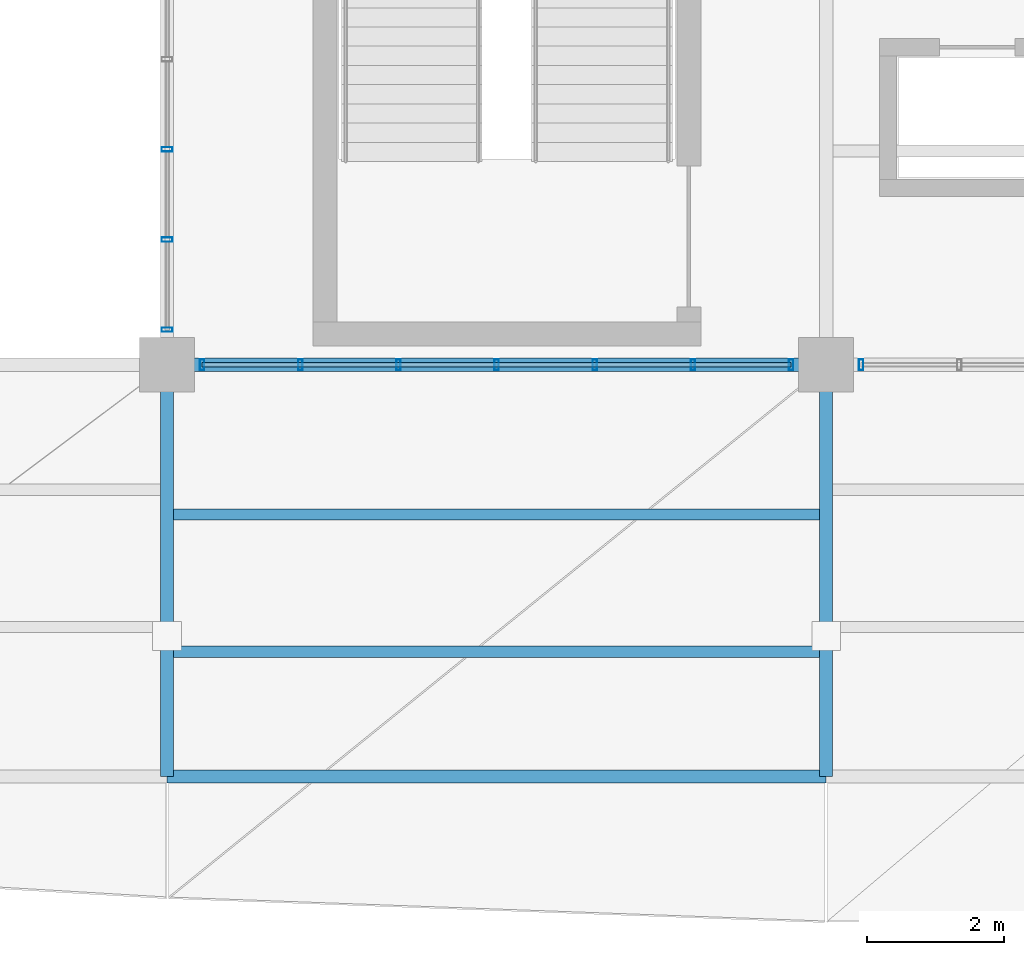
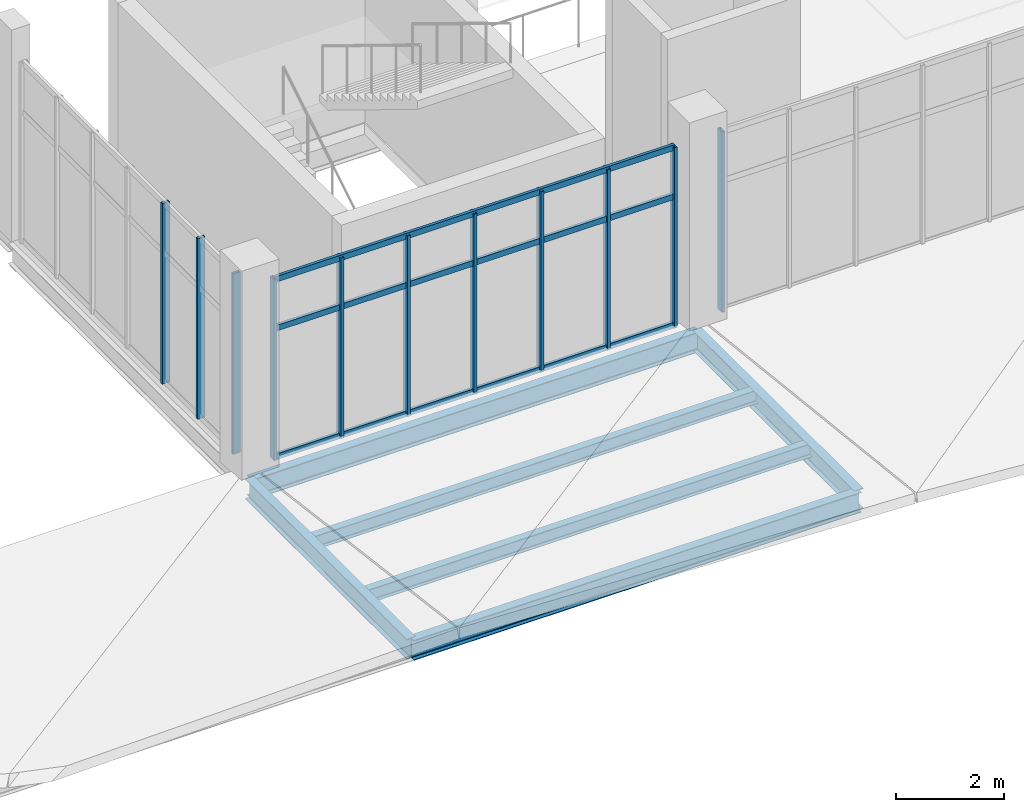
# One storey, part 27 of 157: 14 members, 6 beams, 3 elements without a shape of their own.
"""IFC4 building model written with IfcOpenShell, lengths in metres."""

from ifc_helpers import new_model, si_unit, direction, frame, origin, origin_2d, place, context, subcontext, project, spatial, hollow_rectangle, i_section, extrude, material, layer, layer_set, material_profile, profile_set, type_object, element, aggregate, save


model = new_model("IFC4")

# Units and contexts
model_context = context("Model", 3, precision=1e-05, world=origin(), true_north=direction((0.0, 1.0)))
body_context = subcontext(model_context, "Body", "Model", "MODEL_VIEW")
ifc_project = project(units=[si_unit("LENGTHUNIT", "METRE"), si_unit("AREAUNIT", "SQUARE_METRE"), si_unit("VOLUMEUNIT", "CUBIC_METRE"), si_unit("PLANEANGLEUNIT", "RADIAN"), si_unit("MASSUNIT", "GRAM", prefix="KILO")], contexts=[model_context])

# Site, building, storey
site_placement = place(None, origin())
site = spatial("IfcSite", under=ifc_project, at=site_placement, CompositionType="ELEMENT")
building_placement = place(site_placement, origin())
building = spatial("IfcBuilding", under=site, at=building_placement, Name="Chalmorin Arch Market", CompositionType="ELEMENT")
storey_placement = place(building_placement, frame((0.0, 0.0, 4.800048828125)))
storey = spatial("IfcBuildingStorey", under=building, at=storey_placement, Name="L01", CompositionType="ELEMENT", Elevation=4.800048828125)

# Curtain wall, members
ifc_material_1 = material(Name="Aluminium 6063-T6", Category="aluminium")
ifc_layer_1 = layer(ifc_material_1, 0.159912109375)
ifc_layer_set_1 = layer_set([ifc_layer_1], Name="Aluminium 6063-T6")
curtain_wall_type_1 = type_object("IfcCurtainWallType", Name="MarketClerestoryCurtainWall-CW1-8580x4100", PredefinedType="NOTDEFINED", material=ifc_layer_set_1)
curtain_wall_1_placement = place(storey_placement, origin())
curtain_wall_1 = element("IfcCurtainWall", 1, at=curtain_wall_1_placement, inside=storey, type_object=curtain_wall_type_1, Name="CW-01-001", PredefinedType="NOTDEFINED")
ifc_material_profile_1 = material_profile(ifc_material_1, hollow_rectangle(XDim=0.06494140625, YDim=0.159912109375, WallThickness=0.00390625, at=origin_2d()), Name="ALU65X160X4")
ifc_profile_set_1 = profile_set([ifc_material_profile_1], Name="Aluminium 6063-T6")
member_type_1 = type_object("IfcMemberType", Name="CurtainWallMullion-65x160", PredefinedType="MULLION", material=ifc_profile_set_1)
member_1_placement = place(storey_placement, frame((48.510009765625, 6.0, 0.0), z_axis=(0.0, 0.0, 1.0), x_axis=(1.0, 0.0, 0.0)))
member_1 = element("IfcMember", 2, at=member_1_placement, type_object=member_type_1, Name="ML-001-01", PredefinedType="MULLION", context=body_context, shape_type="SweptSolid", body=[
    extrude(hollow_rectangle(XDim=0.06494140625, YDim=0.159912109375, WallThickness=0.00390625, at=origin_2d()), origin(), (0.0, 0.0, 1.0), 4.095947265625),
])
member_2_placement = place(storey_placement, frame((49.93994140625, 6.0, 0.0), z_axis=(0.0, 0.0, 1.0), x_axis=(1.0, 0.0, 0.0)))
member_2 = element("IfcMember", 3, at=member_2_placement, type_object=member_type_1, Name="ML-001-02", PredefinedType="MULLION", context=body_context, shape_type="SweptSolid", body=[
    extrude(hollow_rectangle(XDim=0.06494140625, YDim=0.159912109375, WallThickness=0.00390625, at=origin_2d()), origin(), (0.0, 0.0, 1.0), 4.095947265625),
])
member_3_placement = place(storey_placement, frame((51.3701171875, 6.0, 0.0), z_axis=(0.0, 0.0, 1.0), x_axis=(1.0, 0.0, 0.0)))
member_3 = element("IfcMember", 4, at=member_3_placement, type_object=member_type_1, Name="ML-001-03", PredefinedType="MULLION", context=body_context, shape_type="SweptSolid", body=[
    extrude(hollow_rectangle(XDim=0.06494140625, YDim=0.159912109375, WallThickness=0.00390625, at=origin_2d()), origin(), (0.0, 0.0, 1.0), 4.095947265625),
])
member_4_placement = place(storey_placement, frame((52.800048828125, 6.0, 0.0), z_axis=(0.0, 0.0, 1.0), x_axis=(1.0, 0.0, 0.0)))
member_4 = element("IfcMember", 5, at=member_4_placement, type_object=member_type_1, Name="ML-001-04", PredefinedType="MULLION", context=body_context, shape_type="SweptSolid", body=[
    extrude(hollow_rectangle(XDim=0.06494140625, YDim=0.159912109375, WallThickness=0.00390625, at=origin_2d()), origin(), (0.0, 0.0, 1.0), 4.095947265625),
])
member_5_placement = place(storey_placement, frame((54.22998046875, 6.0, 0.0), z_axis=(0.0, 0.0, 1.0), x_axis=(1.0, 0.0, 0.0)))
member_5 = element("IfcMember", 6, at=member_5_placement, type_object=member_type_1, Name="ML-001-05", PredefinedType="MULLION", context=body_context, shape_type="SweptSolid", body=[
    extrude(hollow_rectangle(XDim=0.06494140625, YDim=0.159912109375, WallThickness=0.00390625, at=origin_2d()), origin(), (0.0, 0.0, 1.0), 4.095947265625),
])
member_6_placement = place(storey_placement, frame((55.659912109375, 6.0, 0.0), z_axis=(0.0, 0.0, 1.0), x_axis=(1.0, 0.0, 0.0)))
member_6 = element("IfcMember", 7, at=member_6_placement, type_object=member_type_1, Name="ML-001-06", PredefinedType="MULLION", context=body_context, shape_type="SweptSolid", body=[
    extrude(hollow_rectangle(XDim=0.06494140625, YDim=0.159912109375, WallThickness=0.00390625, at=origin_2d()), origin(), (0.0, 0.0, 1.0), 4.095947265625),
])
member_7_placement = place(storey_placement, frame((57.090087890625, 6.0, 0.0), z_axis=(0.0, 0.0, 1.0), x_axis=(1.0, 0.0, 0.0)))
member_7 = element("IfcMember", 8, at=member_7_placement, type_object=member_type_1, Name="ML-001-07", PredefinedType="MULLION", context=body_context, shape_type="SweptSolid", body=[
    extrude(hollow_rectangle(XDim=0.06494140625, YDim=0.159912109375, WallThickness=0.00390625, at=origin_2d()), origin(), (0.0, 0.0, 1.0), 4.095947265625),
])

# Curtain wall, member
curtain_wall_2_placement = place(storey_placement, origin())
curtain_wall_2 = element("IfcCurtainWall", 9, at=curtain_wall_2_placement, inside=storey, type_object=curtain_wall_type_1, Name="CW-01-004", PredefinedType="NOTDEFINED")
member_8_placement = place(storey_placement, frame((58.110107421875, 6.0, 0.0), z_axis=(0.0, 0.0, 1.0), x_axis=(1.0, 0.0, 0.0)))
member_8 = element("IfcMember", 10, at=member_8_placement, type_object=member_type_1, Name="ML-004-01", PredefinedType="MULLION", context=body_context, shape_type="SweptSolid", body=[
    extrude(hollow_rectangle(XDim=0.06494140625, YDim=0.159912109375, WallThickness=0.00390625, at=origin_2d()), origin(), (0.0, 0.0, 1.0), 4.095947265625),
])
aggregate(curtain_wall_2, [member_8])

# Curtain wall, members
ifc_layer_2 = layer(ifc_material_1, 0.159912109375)
ifc_layer_set_2 = layer_set([ifc_layer_2], Name="Aluminium 6063-T6")
curtain_wall_type_2 = type_object("IfcCurtainWallType", Name="GableTympanumCurtainWall-CW4-7880x4100", PredefinedType="NOTDEFINED", material=ifc_layer_set_2)
curtain_wall_3_placement = place(storey_placement, origin())
curtain_wall_3 = element("IfcCurtainWall", 11, at=curtain_wall_3_placement, inside=storey, type_object=curtain_wall_type_2, Name="CW-04-026", PredefinedType="NOTDEFINED")
member_9_placement = place(storey_placement, frame((48.0, 6.510009765625, 0.0), z_axis=(0.0, 0.0, 1.0), x_axis=(0.0, 1.0, 0.0)))
member_9 = element("IfcMember", 12, at=member_9_placement, type_object=member_type_1, Name="ML-026-01", PredefinedType="MULLION", context=body_context, shape_type="SweptSolid", body=[
    extrude(hollow_rectangle(XDim=0.06494140625, YDim=0.159912109375, WallThickness=0.00390625, at=origin_2d()), origin(), (0.0, 0.0, 1.0), 4.095947265625),
])
member_10_placement = place(storey_placement, frame((48.0, 7.8232421875, 0.0), z_axis=(0.0, 0.0, 1.0), x_axis=(0.0, 1.0, 0.0)))
member_10 = element("IfcMember", 13, at=member_10_placement, type_object=member_type_1, Name="ML-026-02", PredefinedType="MULLION", context=body_context, shape_type="SweptSolid", body=[
    extrude(hollow_rectangle(XDim=0.06494140625, YDim=0.159912109375, WallThickness=0.00390625, at=origin_2d()), origin(), (0.0, 0.0, 1.0), 4.095947265625),
])
member_11_placement = place(storey_placement, frame((48.0, 9.13671875, 0.0), z_axis=(0.0, 0.0, 1.0), x_axis=(0.0, 1.0, 0.0)))
member_11 = element("IfcMember", 14, at=member_11_placement, type_object=member_type_1, Name="ML-026-03", PredefinedType="MULLION", context=body_context, shape_type="SweptSolid", body=[
    extrude(hollow_rectangle(XDim=0.06494140625, YDim=0.159912109375, WallThickness=0.00390625, at=origin_2d()), origin(), (0.0, 0.0, 1.0), 4.095947265625),
])
aggregate(curtain_wall_3, [member_9, member_10, member_11])

# Member
ifc_material_profile_2 = material_profile(ifc_material_1, hollow_rectangle(XDim=0.06494140625, YDim=0.1298828125, WallThickness=0.00390625, at=origin_2d()), Name="ALU65X130X4")
ifc_profile_set_2 = profile_set([ifc_material_profile_2], Name="Aluminium 6063-T6")
member_type_2 = type_object("IfcMemberType", Name="CurtainWallTransom-65x130", PredefinedType="USERDEFINED", material=ifc_profile_set_2)
member_12_placement = place(storey_placement, frame((48.510009765625, 6.0, 0.034912109375), z_axis=(1.0, 0.0, 0.0), x_axis=(0.0, 1.0, 0.0)))
member_12 = element("IfcMember", 15, at=member_12_placement, type_object=member_type_2, Name="TR-001-01", ObjectType="TRANSOM", PredefinedType="USERDEFINED", context=body_context, shape_type="SweptSolid", body=[
    extrude(hollow_rectangle(XDim=0.06494140625, YDim=0.1298828125, WallThickness=0.00390625, at=origin_2d()), origin(), (0.0, 0.0, 1.0), 8.580078125),
])

member_13_placement = place(storey_placement, frame((48.510009765625, 6.0, 2.948974609375), z_axis=(1.0, 0.0, 0.0), x_axis=(0.0, 1.0, 0.0)))
member_13 = element("IfcMember", 16, at=member_13_placement, type_object=member_type_2, Name="TR-001-02", ObjectType="TRANSOM", PredefinedType="USERDEFINED", context=body_context, shape_type="SweptSolid", body=[
    extrude(hollow_rectangle(XDim=0.06494140625, YDim=0.1298828125, WallThickness=0.00390625, at=origin_2d()), origin(), (0.0, 0.0, 1.0), 8.580078125),
])

member_14_placement = place(storey_placement, frame((48.510009765625, 6.0, 4.06103515625), z_axis=(1.0, 0.0, 0.0), x_axis=(0.0, 1.0, 0.0)))
member_14 = element("IfcMember", 17, at=member_14_placement, type_object=member_type_2, Name="TR-001-03", ObjectType="TRANSOM", PredefinedType="USERDEFINED", context=body_context, shape_type="SweptSolid", body=[
    extrude(hollow_rectangle(XDim=0.06494140625, YDim=0.1298828125, WallThickness=0.00390625, at=origin_2d()), origin(), (0.0, 0.0, 1.0), 8.580078125),
])

aggregate(curtain_wall_1, [member_1, member_2, member_3, member_4, member_5, member_6, member_7, member_12, member_13, member_14])

# Beams
ifc_material_2 = material(Name="Steel A992 Grade 50", Category="steel")
ifc_material_profile_3 = material_profile(ifc_material_2, i_section(OverallWidth=0.19091796875, OverallDepth=0.45703125, WebThickness=0.009033203125, FlangeThickness=0.014404296875, FilletRadius=0.02001953125, at=origin_2d()), Name="W18X50")
ifc_profile_set_3 = profile_set([ifc_material_profile_3], Name="Steel A992 Grade 50")
beam_type_1 = type_object("IfcBeamType", Name="FloorSteelBeam-W18X50", PredefinedType="BEAM", material=ifc_profile_set_3)
for number, where, z_axis, x_axis, name in (
    (18, (48.0, 0.0, -0.48046875), (0.0, 1.0, 0.0), (-1.0, 0.0, 0.0), "BM-W18B-1035"),
    (19, (57.60009765625, 0.0, -0.48046875), (0.0, 1.0, 0.0), (-1.0, 0.0, 0.0), "BM-W18B-1037"),
):
    element("IfcBeam", number, at=place(storey_placement, frame(where, z_axis=z_axis, x_axis=x_axis)), inside=storey, type_object=beam_type_1, Name=name, PredefinedType="BEAM", context=body_context, shape_type="SweptSolid", body=[
        extrude(i_section(OverallWidth=0.19091796875, OverallDepth=0.45703125, WebThickness=0.009033203125, FlangeThickness=0.014404296875, FilletRadius=0.02001953125, at=origin_2d()), origin(), (0.0, 0.0, 1.0), 6.0),
    ])
ifc_material_profile_4 = material_profile(ifc_material_2, i_section(OverallWidth=0.19091796875, OverallDepth=0.45703125, WebThickness=0.009033203125, FlangeThickness=0.014404296875, FilletRadius=0.02001953125, at=origin_2d()), Name="W18X50")
ifc_profile_set_4 = profile_set([ifc_material_profile_4], Name="Steel A992 Grade 50")
beam_type_2 = type_object("IfcBeamType", Name="PerimeterSpandrelBeam-W18X50", PredefinedType="SPANDREL", material=ifc_profile_set_4)
for number, where, z_axis, x_axis, name in (
    (20, (48.0, 6.0, -0.48046875), (1.0, 0.0, 0.0), (0.0, 1.0, 0.0), "SP-W18-0600"),
    (21, (48.0, 0.0, -0.48046875), (1.0, 0.0, 0.0), (0.0, 1.0, 0.0), "SP-W18-1036"),
):
    element("IfcBeam", number, at=place(storey_placement, frame(where, z_axis=z_axis, x_axis=x_axis)), inside=storey, type_object=beam_type_2, Name=name, PredefinedType="SPANDREL", context=body_context, shape_type="SweptSolid", body=[
        extrude(i_section(OverallWidth=0.19091796875, OverallDepth=0.45703125, WebThickness=0.009033203125, FlangeThickness=0.014404296875, FilletRadius=0.02001953125, at=origin_2d()), origin(), (0.0, 0.0, 1.0), 9.60009765625),
    ])
ifc_material_profile_5 = material_profile(ifc_material_2, i_section(OverallWidth=0.1650390625, OverallDepth=0.31005859375, WebThickness=0.005859375, FlangeThickness=0.009765625, FilletRadius=0.014892578125, at=origin_2d()), Name="W12X26")
ifc_profile_set_5 = profile_set([ifc_material_profile_5], Name="Steel A992 Grade 50")
beam_type_3 = type_object("IfcBeamType", Name="SecondaryRoofJoist-W12X26", PredefinedType="JOIST", material=ifc_profile_set_5)
for number, where, z_axis, x_axis, name in (
    (22, (48.0, 1.820068359375, -0.406982421875), (1.0, 0.0, 0.0), (0.0, 1.0, 0.0), "BJ-W12-1062"),
    (23, (48.0, 3.820068359375, -0.406982421875), (1.0, 0.0, 0.0), (0.0, 1.0, 0.0), "BJ-W12-1063"),
):
    element("IfcBeam", number, at=place(storey_placement, frame(where, z_axis=z_axis, x_axis=x_axis)), inside=storey, type_object=beam_type_3, Name=name, PredefinedType="JOIST", context=body_context, shape_type="SweptSolid", body=[
        extrude(i_section(OverallWidth=0.1650390625, OverallDepth=0.31005859375, WebThickness=0.005859375, FlangeThickness=0.009765625, FilletRadius=0.014892578125, at=origin_2d()), origin(), (0.0, 0.0, 1.0), 9.60009765625),
    ])

save(model, "model.ifc")
